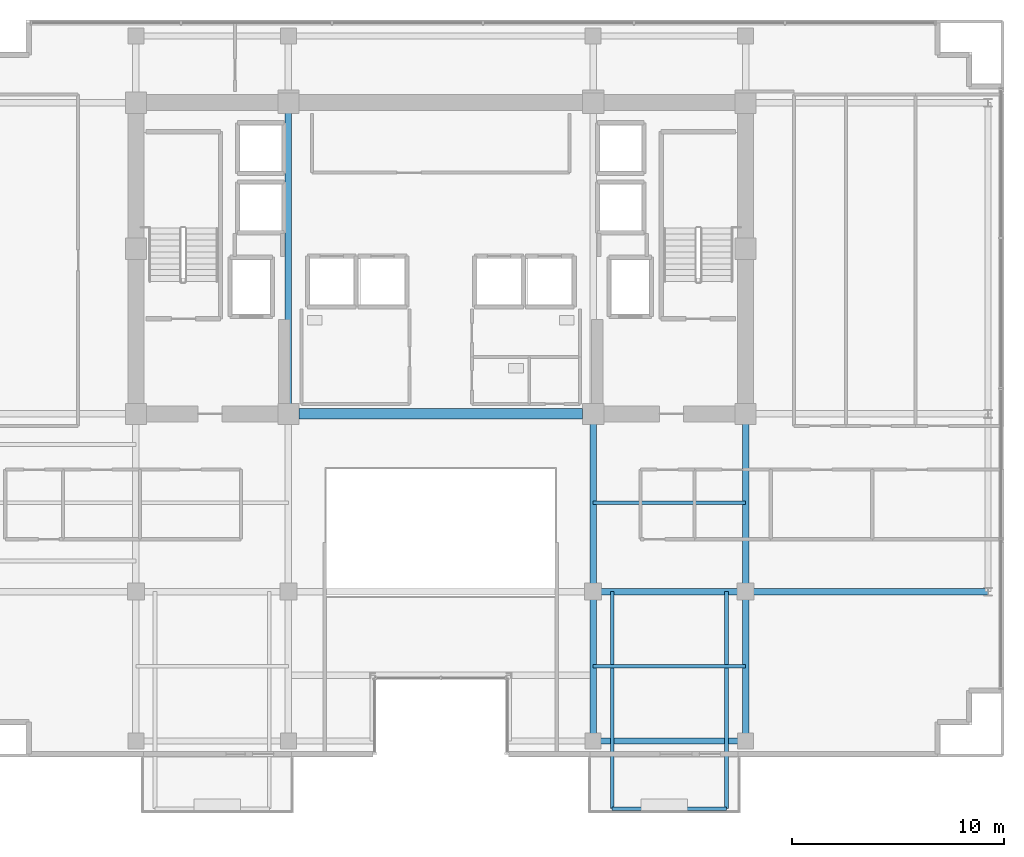
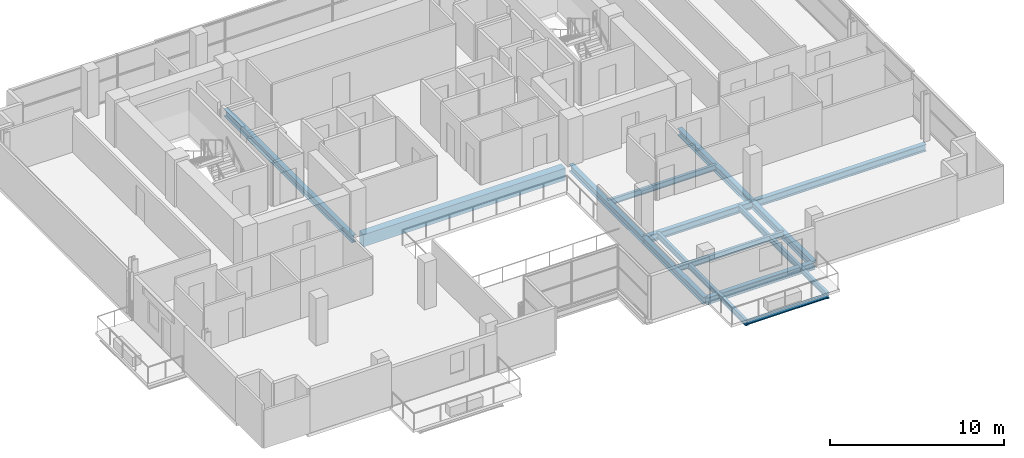
# One storey, part 6 of 21: 14 beams.
"""IFC4 building model written with IfcOpenShell, lengths in metres."""

import ifcopenshell
import ifcopenshell.guid

model = None  # the IFC model being written
_history = None  # IfcOwnerHistory: only IFC2X3 demands one
_inside = {}  # id of a spatial element -> (the spatial element, [elements in it])
_under = {}  # id of a project, library or spatial element -> (it, [spatial elements below it])
_declared = {}  # id of a project -> (the project, [libraries it declares])
_typed = {}  # id of a type object -> (the type object, [elements of that type])
_made_of = {}  # id of a material, layer set ... -> (it, [elements and type objects made of it])


def new_model(schema):
    """Start an empty IFC model of exactly this schema.

    Asked for "IFC4X3", IfcOpenShell would pick the latest addendum, in which some entities
    have other attributes; the version numbers below select the first issue.
    IFC2X3 requires an IfcOwnerHistory on every rooted entity: one is made here for all.
    """
    global model, _history
    if schema == "IFC4X3":
        model = ifcopenshell.file(schema_version=(4, 3, 0, 0))
    else:
        model = ifcopenshell.file(schema=schema)
    _inside.clear()
    _under.clear()
    _declared.clear()
    _typed.clear()
    _made_of.clear()
    _history = None
    if model.schema == "IFC2X3":
        org = make("IfcOrganization", Name="unknown")
        user = make(
            "IfcPersonAndOrganization",
            ThePerson=make("IfcPerson", FamilyName="unknown"),
            TheOrganization=org,
        )
        app = make(
            "IfcApplication",
            ApplicationDeveloper=org,
            Version="unknown",
            ApplicationFullName="unknown",
            ApplicationIdentifier="unknown",
        )
        _history = make(
            "IfcOwnerHistory",
            OwningUser=user,
            OwningApplication=app,
            ChangeAction="ADDED",
            CreationDate=0,
        )
    return model


def make(cls, **values):
    """One entity of the class cls with the attributes given. An attribute that is None is left unset."""
    return model.create_entity(
        cls, **{name: value for name, value in values.items() if value is not None}
    )


def rooted(cls, **values):
    """An entity with a GlobalId (a new one), such as an element, a storey or a relation."""
    return make(cls, GlobalId=ifcopenshell.guid.new(), OwnerHistory=_history, **values)


def si_unit(unit_type, name, prefix=None):
    """IfcSIUnit, for example si_unit("LENGTHUNIT", "METRE", prefix="MILLI")."""
    return make("IfcSIUnit", UnitType=unit_type, Prefix=prefix, Name=name)


def assignment(units):
    """IfcUnitAssignment: the units of a project."""
    return None if units is None else make("IfcUnitAssignment", Units=units)


def point(xyz):
    """IfcCartesianPoint."""
    return None if xyz is None else make("IfcCartesianPoint", Coordinates=xyz)


def direction(xyz):
    """IfcDirection."""
    return None if xyz is None else make("IfcDirection", DirectionRatios=xyz)


def frame(location, z_axis=None, x_axis=None):
    """IfcAxis2Placement3D, a coordinate frame: its origin and axes. An axis left out is left unset."""
    return make(
        "IfcAxis2Placement3D",
        Location=point(location),
        Axis=direction(z_axis),
        RefDirection=direction(x_axis),
    )


def frame_2d(location, x_axis=None):
    """IfcAxis2Placement2D, a coordinate frame in the plane: its origin and x axis."""
    return make(
        "IfcAxis2Placement2D", Location=point(location), RefDirection=direction(x_axis)
    )


def origin():
    """The frame at (0, 0, 0) with its axes left unset."""
    return frame((0.0, 0.0, 0.0))


def origin_2d():
    """The frame at (0, 0) in the plane with its x axis left unset."""
    return frame_2d((0.0, 0.0))


def place(relative_to, where):
    """IfcLocalPlacement: puts the frame where relative to a parent placement (None: the world)."""
    return make(
        "IfcLocalPlacement", PlacementRelTo=relative_to, RelativePlacement=where
    )


def context(
    kind, dimensions, precision=None, world=None, true_north=None, identifier=None
):
    """IfcGeometricRepresentationContext, for example the 3D "Model" context."""
    return make(
        "IfcGeometricRepresentationContext",
        ContextIdentifier=identifier,
        ContextType=kind,
        CoordinateSpaceDimension=dimensions,
        Precision=precision,
        WorldCoordinateSystem=world,
        TrueNorth=true_north,
    )


def subcontext(parent, identifier, kind, view, scale=None):
    """IfcGeometricRepresentationSubContext, for example "Body" below "Model"."""
    return make(
        "IfcGeometricRepresentationSubContext",
        ContextIdentifier=identifier,
        ContextType=kind,
        ParentContext=parent,
        TargetScale=scale,
        TargetView=view,
    )


def project(units=None, contexts=None):
    """IfcProject with its units and contexts."""
    return rooted(
        "IfcProject",
        Name="project",
        RepresentationContexts=contexts,
        UnitsInContext=assignment(units),
    )


def spatial(cls, under=None, at=None, **own):
    """A site, building, storey or space (cls), placed at a placement, below another one or the project."""
    s = rooted(cls, ObjectPlacement=at, **own)
    if under is not None:
        _under.setdefault(under.id(), (under, []))[1].append(s)
    return s


def profile(cls, at=None, kind="AREA", **sizes):
    """A parametric profile (cls). Its sizes go by their IFC names, for example OverallWidth=200.0."""
    return make(cls, ProfileType=kind, Position=at, **sizes)


def rectangle(**sizes):
    """IfcRectangleProfileDef."""
    return profile("IfcRectangleProfileDef", **sizes)


def i_section(**sizes):
    """IfcIShapeProfileDef."""
    return profile("IfcIShapeProfileDef", **sizes)


def extrude(swept, where, along, depth):
    """IfcExtrudedAreaSolid: the profile swept, set in the frame where, extruded along a direction by depth."""
    return make(
        "IfcExtrudedAreaSolid",
        SweptArea=swept,
        Position=where,
        ExtrudedDirection=direction(along),
        Depth=depth,
    )


def shape(context_of_items, identifier, shape_type, items):
    """IfcShapeRepresentation: the items that make up one representation, for example the "Body"."""
    return make(
        "IfcShapeRepresentation",
        ContextOfItems=context_of_items,
        RepresentationIdentifier=identifier,
        RepresentationType=shape_type,
        Items=items,
    )


def material(Name=None, Category=None):
    """IfcMaterial."""
    return make("IfcMaterial", Name=Name, Category=Category)


def material_profile(
    of_material, cross_section, Name=None, Category=None, Priority=None
):
    """IfcMaterialProfile: a cross section and its material."""
    return make(
        "IfcMaterialProfile",
        Name=Name,
        Material=of_material,
        Profile=cross_section,
        Priority=Priority,
        Category=Category,
    )


def profile_set(profiles, Name=None, composite=None):
    """IfcMaterialProfileSet."""
    return make(
        "IfcMaterialProfileSet",
        Name=Name,
        MaterialProfiles=profiles,
        CompositeProfile=composite,
    )


def made_of(thing, what):
    """Note that an element or type object is made of a material, layer set ...; save() writes the relation."""
    if what is not None:
        _made_of.setdefault(what.id(), (what, []))[1].append(thing)
    return thing


def type_object(cls, material=None, **own):
    """A type object (cls), such as IfcWallType, which elements share."""
    return made_of(rooted(cls, **own), material)


def element(
    cls,
    number,
    at=None,
    inside=None,
    cuts=None,
    type_object=None,
    material=None,
    context=None,
    identifier="Body",
    shape_type=None,
    held_by="IfcProductDefinitionShape",
    body=None,
    shapes=None,
    **own,
):
    """One element of the class cls, such as IfcWall. Its Tag is "e" and its number.

    at: its placement. inside: the storey or other place that contains it. cuts: it is an
    opening in that element (IfcRelVoidsElement). A single representation is given by context,
    identifier, shape_type and body (its items); several are given by shapes. held_by: the class
    of the entity that holds the representations. save() writes the other relations.
    """
    e = rooted(cls, Tag="e%d" % number, ObjectPlacement=at, **own)
    if body is not None:
        shapes = [shape(context, identifier, shape_type, body)]
    if shapes is not None:
        e.Representation = make(held_by, Representations=shapes)
    if inside is not None:
        _inside.setdefault(inside.id(), (inside, []))[1].append(e)
    if cuts is not None:
        rooted(
            "IfcRelVoidsElement", RelatingBuildingElement=cuts, RelatedOpeningElement=e
        )
    if type_object is not None:
        _typed.setdefault(type_object.id(), (type_object, []))[1].append(e)
    return made_of(e, material)


def aggregate(whole, parts):
    """IfcRelAggregates: a whole, such as a stair, and the parts it consists of."""
    return rooted("IfcRelAggregates", RelatingObject=whole, RelatedObjects=parts)


def save(model, path):
    """Write the relations noted so far, then the file.

    IfcRelAggregates (storeys below a building ...), IfcRelContainedInSpatialStructure (elements
    in a storey), IfcRelDefinesByType, IfcRelAssociatesMaterial and IfcRelDeclares: one each for
    every whole, place, type object, material and project.
    """
    for whole, parts in _under.values():
        aggregate(whole, parts)
    for where, things in _inside.values():
        rooted(
            "IfcRelContainedInSpatialStructure",
            RelatedElements=things,
            RelatingStructure=where,
        )
    for kind, things in _typed.values():
        rooted("IfcRelDefinesByType", RelatedObjects=things, RelatingType=kind)
    for what, things in _made_of.values():
        rooted("IfcRelAssociatesMaterial", RelatedObjects=things, RelatingMaterial=what)
    for by, libraries in _declared.values():
        rooted("IfcRelDeclares", RelatingContext=by, RelatedDefinitions=libraries)
    model.write(path)


model = new_model("IFC4")

# Units and contexts
model_context = context("Model", 3, precision=1e-05, world=origin(), true_north=direction((0.0, 1.0)))
body_context = subcontext(model_context, "Body", "Model", "MODEL_VIEW")
ifc_project = project(units=[si_unit("LENGTHUNIT", "METRE"), si_unit("AREAUNIT", "SQUARE_METRE"), si_unit("VOLUMEUNIT", "CUBIC_METRE"), si_unit("PLANEANGLEUNIT", "RADIAN"), si_unit("MASSUNIT", "GRAM", prefix="KILO")], contexts=[model_context])

# Site, building, storey
site_placement = place(None, origin())
site = spatial("IfcSite", under=ifc_project, at=site_placement, CompositionType="ELEMENT")
building_placement = place(site_placement, origin())
building = spatial("IfcBuilding", under=site, at=building_placement, Name="Zarnakvel Exchange Tower", CompositionType="ELEMENT")
storey_placement = place(building_placement, frame((0.0, 0.0, 185.800048828125)))
storey = spatial("IfcBuildingStorey", under=building, at=storey_placement, Name="L52", CompositionType="ELEMENT", Elevation=185.800048828125)

# Beams
ifc_material_1 = material(Name="Steel S355", Category="steel")
ifc_material_profile_1 = material_profile(ifc_material_1, i_section(OverallWidth=0.179931640625, OverallDepth=0.39990234375, WebThickness=0.008544921875, FlangeThickness=0.013427734375, FilletRadius=0.02099609375, at=origin_2d()))
ifc_profile_set_1 = profile_set([ifc_material_profile_1], Name="Steel S355")
beam_type_1 = type_object("IfcBeamType", Name="B-06", PredefinedType="JOIST", material=ifc_profile_set_1)
for number, where, z_axis, x_axis, name in (
    (1, (7.199951171875, -13.125, -0.425048828125), (1.0, 0.0, 0.0), (0.0, 1.0, 0.0), "L52 Composite Floor Secondary Joist"),
    (2, (7.199951171875, -5.39990234375, -0.425048828125), (1.0, 0.0, 0.0), (0.0, 1.0, 0.0), "L52 Composite Floor Secondary Joist"),
):
    element("IfcBeam", number, at=place(storey_placement, frame(where, z_axis=z_axis, x_axis=x_axis)), inside=storey, type_object=beam_type_1, Name=name, PredefinedType="JOIST", context=body_context, shape_type="SweptSolid", body=[
        extrude(i_section(OverallWidth=0.179931640625, OverallDepth=0.39990234375, WebThickness=0.008544921875, FlangeThickness=0.013427734375, FilletRadius=0.02099609375, at=origin_2d()), origin(), (0.0, 0.0, 1.0), 7.199951171875),
    ])
for number, where, z_axis, x_axis, name in (
    (3, (8.10009765625, -9.60009765625, -0.425048828125), (0.0, -1.0, 0.0), (1.0, 0.0, 0.0), "L52 Continuous Back-Spanned Balcony Beam W"),
    (4, (13.5, -9.60009765625, -0.425048828125), (0.0, -1.0, 0.0), (1.0, 0.0, 0.0), "L52 Continuous Back-Spanned Balcony Beam E"),
):
    element("IfcBeam", number, at=place(storey_placement, frame(where, z_axis=z_axis, x_axis=x_axis)), inside=storey, type_object=beam_type_1, Name=name, PredefinedType="JOIST", context=body_context, shape_type="SweptSolid", body=[
        extrude(i_section(OverallWidth=0.179931640625, OverallDepth=0.39990234375, WebThickness=0.008544921875, FlangeThickness=0.013427734375, FilletRadius=0.02099609375, at=origin_2d()), origin(), (0.0, 0.0, 1.0), 10.25),
    ])
ifc_material_profile_2 = material_profile(ifc_material_1, i_section(OverallWidth=0.14990234375, OverallDepth=0.300048828125, WebThickness=0.007080078125, FlangeThickness=0.0107421875, FilletRadius=0.014892578125, at=origin_2d()))
ifc_profile_set_2 = profile_set([ifc_material_profile_2], Name="Steel S355")
beam_type_2 = type_object("IfcBeamType", Name="B-08", PredefinedType="JOIST", material=ifc_profile_set_2)
beam_1_placement = place(storey_placement, frame((8.10009765625, -19.85009765625, -0.375), z_axis=(1.0, 0.0, 0.0), x_axis=(0.0, 1.0, 0.0)))
element("IfcBeam", 5, at=beam_1_placement, inside=storey, type_object=beam_type_2, Name="L52 Balcony Edge Beam", PredefinedType="JOIST", context=body_context, shape_type="SweptSolid", body=[
    extrude(i_section(OverallWidth=0.14990234375, OverallDepth=0.300048828125, WebThickness=0.007080078125, FlangeThickness=0.0107421875, FilletRadius=0.014892578125, at=origin_2d()), origin(), (0.0, 0.0, 1.0), 5.39990234375),
])
ifc_material_2 = material(Name="Concrete C60/75", Category="concrete")
ifc_material_profile_3 = material_profile(ifc_material_2, rectangle(XDim=0.5, YDim=0.85009765625, at=origin_2d()))
ifc_profile_set_3 = profile_set([ifc_material_profile_3], Name="Concrete C60/75")
beam_type_3 = type_object("IfcBeamType", Name="CB-02", PredefinedType="LINTEL", material=ifc_profile_set_3)
beam_2_placement = place(storey_placement, frame((-6.699951171875, -1.199951171875, -0.650146484375), z_axis=(1.0, 0.0, 0.0), x_axis=(0.0, 1.0, 0.0)))
element("IfcBeam", 6, at=beam_2_placement, inside=storey, type_object=beam_type_3, Name="L52 Rear Core South Coupling Beam (CB-02)", PredefinedType="LINTEL", context=body_context, shape_type="SweptSolid", body=[
    extrude(rectangle(XDim=0.5, YDim=0.85009765625, at=origin_2d()), origin(), (0.0, 0.0, 1.0), 13.39990234375),
])
ifc_material_profile_4 = material_profile(ifc_material_1, i_section(OverallWidth=0.300048828125, OverallDepth=0.5, WebThickness=0.014404296875, FlangeThickness=0.028076171875, FilletRadius=0.027099609375, at=origin_2d()))
ifc_profile_set_4 = profile_set([ifc_material_profile_4], Name="Steel S355")
beam_type_4 = type_object("IfcBeamType", Name="G-06", PredefinedType="BEAM", material=ifc_profile_set_4)
beam_3_placement = place(storey_placement, frame((7.199951171875, -9.60009765625, -0.47509765625), z_axis=(1.0, 0.0, 0.0), x_axis=(0.0, 1.0, 0.0)))
element("IfcBeam", 7, at=beam_3_placement, inside=storey, type_object=beam_type_4, Name="L52 Tower E-W Frame Beam", PredefinedType="BEAM", context=body_context, shape_type="SweptSolid", body=[
    extrude(i_section(OverallWidth=0.300048828125, OverallDepth=0.5, WebThickness=0.014404296875, FlangeThickness=0.028076171875, FilletRadius=0.027099609375, at=origin_2d()), origin(), (0.0, 0.0, 1.0), 7.199951171875),
])
beam_4_placement = place(storey_placement, frame((14.39990234375, -9.60009765625, -0.47509765625), z_axis=(1.0, 0.0, 0.0), x_axis=(0.0, 1.0, 0.0)))
element("IfcBeam", 8, at=beam_4_placement, inside=storey, type_object=beam_type_4, Name="L52 Tower E-W Frame Beam", PredefinedType="BEAM", context=body_context, shape_type="SweptSolid", body=[
    extrude(i_section(OverallWidth=0.300048828125, OverallDepth=0.5, WebThickness=0.014404296875, FlangeThickness=0.028076171875, FilletRadius=0.027099609375, at=origin_2d()), origin(), (0.0, 0.0, 1.0), 11.4501953125),
])
beam_5_placement = place(storey_placement, frame((-7.199951171875, -1.199951171875, -0.47509765625), z_axis=(0.0, 1.0, 0.0), x_axis=(-1.0, 0.0, 0.0)))
element("IfcBeam", 9, at=beam_5_placement, inside=storey, type_object=beam_type_4, Name="L52 Tower N-S Frame Beam", PredefinedType="BEAM", context=body_context, shape_type="SweptSolid", body=[
    extrude(i_section(OverallWidth=0.300048828125, OverallDepth=0.5, WebThickness=0.014404296875, FlangeThickness=0.028076171875, FilletRadius=0.027099609375, at=origin_2d()), origin(), (0.0, 0.0, 1.0), 14.699951171875),
])
beam_6_placement = place(storey_placement, frame((7.199951171875, -16.64990234375, -0.47509765625), z_axis=(0.0, 1.0, 0.0), x_axis=(-1.0, 0.0, 0.0)))
element("IfcBeam", 10, at=beam_6_placement, inside=storey, type_object=beam_type_4, Name="L52 Tower N-S Frame Beam", PredefinedType="BEAM", context=body_context, shape_type="SweptSolid", body=[
    extrude(i_section(OverallWidth=0.300048828125, OverallDepth=0.5, WebThickness=0.014404296875, FlangeThickness=0.028076171875, FilletRadius=0.027099609375, at=origin_2d()), origin(), (0.0, 0.0, 1.0), 7.0498046875),
])
beam_7_placement = place(storey_placement, frame((7.199951171875, -9.60009765625, -0.47509765625), z_axis=(0.0, 1.0, 0.0), x_axis=(-1.0, 0.0, 0.0)))
element("IfcBeam", 11, at=beam_7_placement, inside=storey, type_object=beam_type_4, Name="L52 Tower N-S Frame Beam", PredefinedType="BEAM", context=body_context, shape_type="SweptSolid", body=[
    extrude(i_section(OverallWidth=0.300048828125, OverallDepth=0.5, WebThickness=0.014404296875, FlangeThickness=0.028076171875, FilletRadius=0.027099609375, at=origin_2d()), origin(), (0.0, 0.0, 1.0), 8.400146484375),
])
beam_8_placement = place(storey_placement, frame((14.39990234375, -16.64990234375, -0.47509765625), z_axis=(0.0, 1.0, 0.0), x_axis=(-1.0, 0.0, 0.0)))
element("IfcBeam", 12, at=beam_8_placement, inside=storey, type_object=beam_type_4, Name="L52 Tower N-S Frame Beam", PredefinedType="BEAM", context=body_context, shape_type="SweptSolid", body=[
    extrude(i_section(OverallWidth=0.300048828125, OverallDepth=0.5, WebThickness=0.014404296875, FlangeThickness=0.028076171875, FilletRadius=0.027099609375, at=origin_2d()), origin(), (0.0, 0.0, 1.0), 7.0498046875),
])
beam_9_placement = place(storey_placement, frame((14.39990234375, -9.60009765625, -0.47509765625), z_axis=(0.0, 1.0, 0.0), x_axis=(-1.0, 0.0, 0.0)))
element("IfcBeam", 13, at=beam_9_placement, inside=storey, type_object=beam_type_4, Name="L52 Tower N-S Frame Beam", PredefinedType="BEAM", context=body_context, shape_type="SweptSolid", body=[
    extrude(i_section(OverallWidth=0.300048828125, OverallDepth=0.5, WebThickness=0.014404296875, FlangeThickness=0.028076171875, FilletRadius=0.027099609375, at=origin_2d()), origin(), (0.0, 0.0, 1.0), 8.400146484375),
])
ifc_material_profile_5 = material_profile(ifc_material_1, i_section(OverallWidth=0.300048828125, OverallDepth=0.5, WebThickness=0.014404296875, FlangeThickness=0.028076171875, FilletRadius=0.027099609375, at=origin_2d()))
ifc_profile_set_5 = profile_set([ifc_material_profile_5], Name="Steel S355")
beam_type_5 = type_object("IfcBeamType", Name="SP-02", PredefinedType="SPANDREL", material=ifc_profile_set_5)
beam_10_placement = place(storey_placement, frame((7.199951171875, -16.64990234375, -0.47509765625), z_axis=(1.0, 0.0, 0.0), x_axis=(0.0, 1.0, 0.0)))
element("IfcBeam", 14, at=beam_10_placement, inside=storey, type_object=beam_type_5, Name="L52 Tower E-W Frame Beam", PredefinedType="SPANDREL", context=body_context, shape_type="SweptSolid", body=[
    extrude(i_section(OverallWidth=0.300048828125, OverallDepth=0.5, WebThickness=0.014404296875, FlangeThickness=0.028076171875, FilletRadius=0.027099609375, at=origin_2d()), origin(), (0.0, 0.0, 1.0), 7.199951171875),
])

save(model, "model.ifc")
